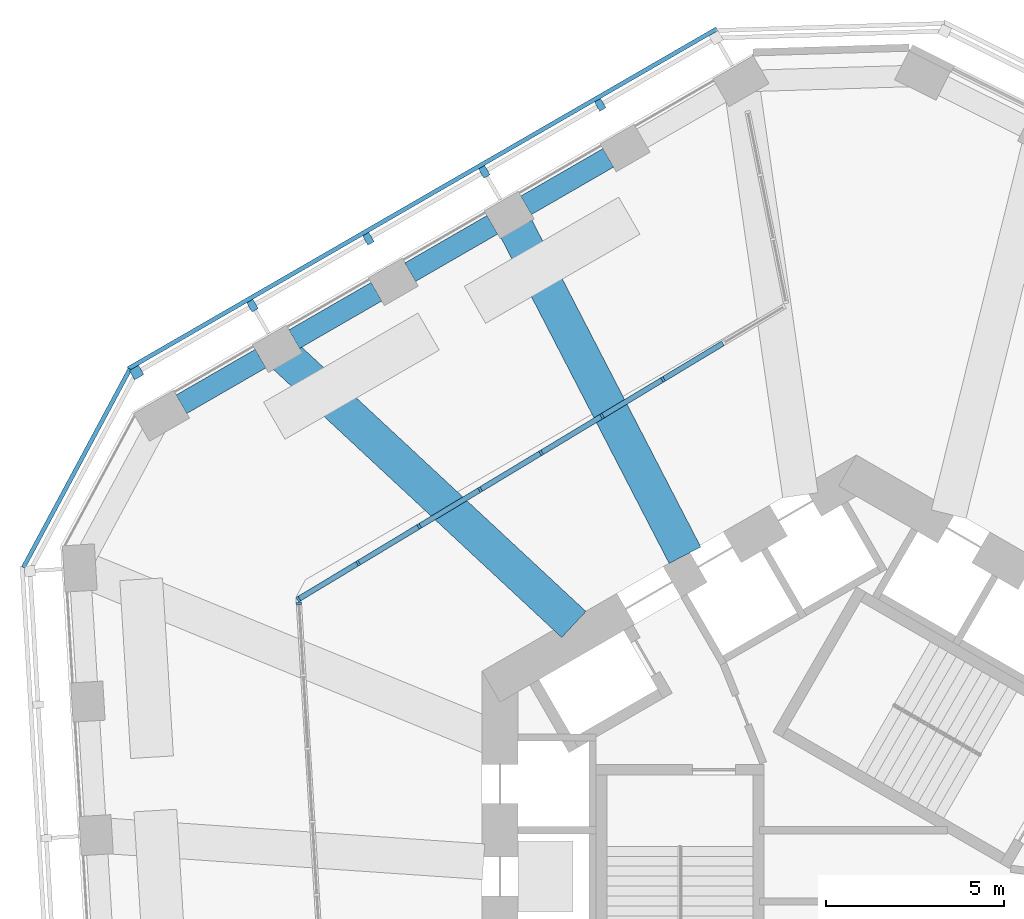
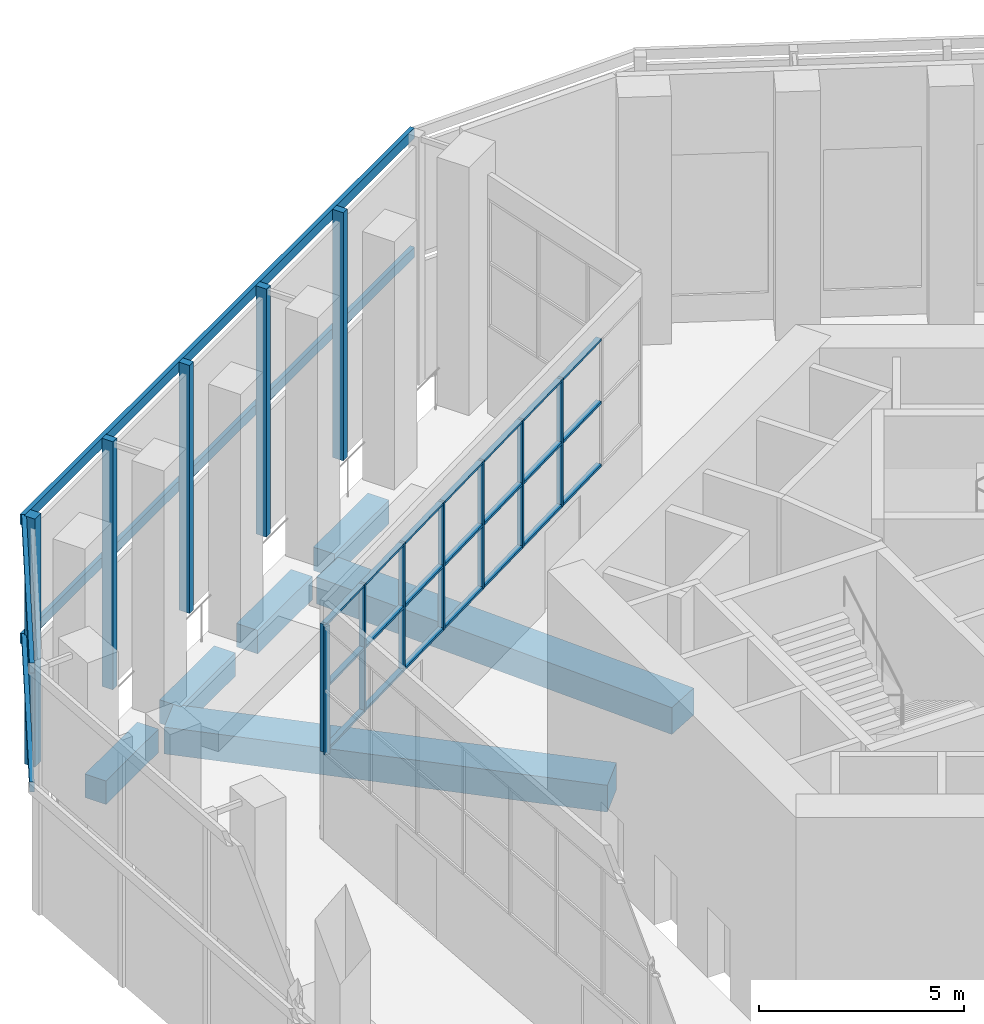
# One storey, part 6 of 19: 38 members, 6 beams, 4 elements without a shape of their own.
"""IFC4 building model written with IfcOpenShell, lengths in metres."""

import ifcopenshell
import ifcopenshell.guid

model = None  # the IFC model being written
_history = None  # IfcOwnerHistory: only IFC2X3 demands one
_inside = {}  # id of a spatial element -> (the spatial element, [elements in it])
_under = {}  # id of a project, library or spatial element -> (it, [spatial elements below it])
_declared = {}  # id of a project -> (the project, [libraries it declares])
_typed = {}  # id of a type object -> (the type object, [elements of that type])
_made_of = {}  # id of a material, layer set ... -> (it, [elements and type objects made of it])


def new_model(schema):
    """Start an empty IFC model of exactly this schema.

    Asked for "IFC4X3", IfcOpenShell would pick the latest addendum, in which some entities
    have other attributes; the version numbers below select the first issue.
    IFC2X3 requires an IfcOwnerHistory on every rooted entity: one is made here for all.
    """
    global model, _history
    if schema == "IFC4X3":
        model = ifcopenshell.file(schema_version=(4, 3, 0, 0))
    else:
        model = ifcopenshell.file(schema=schema)
    _inside.clear()
    _under.clear()
    _declared.clear()
    _typed.clear()
    _made_of.clear()
    _history = None
    if model.schema == "IFC2X3":
        org = make("IfcOrganization", Name="unknown")
        user = make(
            "IfcPersonAndOrganization",
            ThePerson=make("IfcPerson", FamilyName="unknown"),
            TheOrganization=org,
        )
        app = make(
            "IfcApplication",
            ApplicationDeveloper=org,
            Version="unknown",
            ApplicationFullName="unknown",
            ApplicationIdentifier="unknown",
        )
        _history = make(
            "IfcOwnerHistory",
            OwningUser=user,
            OwningApplication=app,
            ChangeAction="ADDED",
            CreationDate=0,
        )
    return model


def make(cls, **values):
    """One entity of the class cls with the attributes given. An attribute that is None is left unset."""
    return model.create_entity(
        cls, **{name: value for name, value in values.items() if value is not None}
    )


def rooted(cls, **values):
    """An entity with a GlobalId (a new one), such as an element, a storey or a relation."""
    return make(cls, GlobalId=ifcopenshell.guid.new(), OwnerHistory=_history, **values)


def si_unit(unit_type, name, prefix=None):
    """IfcSIUnit, for example si_unit("LENGTHUNIT", "METRE", prefix="MILLI")."""
    return make("IfcSIUnit", UnitType=unit_type, Prefix=prefix, Name=name)


def assignment(units):
    """IfcUnitAssignment: the units of a project."""
    return None if units is None else make("IfcUnitAssignment", Units=units)


def point(xyz):
    """IfcCartesianPoint."""
    return None if xyz is None else make("IfcCartesianPoint", Coordinates=xyz)


def direction(xyz):
    """IfcDirection."""
    return None if xyz is None else make("IfcDirection", DirectionRatios=xyz)


def frame(location, z_axis=None, x_axis=None):
    """IfcAxis2Placement3D, a coordinate frame: its origin and axes. An axis left out is left unset."""
    return make(
        "IfcAxis2Placement3D",
        Location=point(location),
        Axis=direction(z_axis),
        RefDirection=direction(x_axis),
    )


def frame_2d(location, x_axis=None):
    """IfcAxis2Placement2D, a coordinate frame in the plane: its origin and x axis."""
    return make(
        "IfcAxis2Placement2D", Location=point(location), RefDirection=direction(x_axis)
    )


def origin():
    """The frame at (0, 0, 0) with its axes left unset."""
    return frame((0.0, 0.0, 0.0))


def origin_2d():
    """The frame at (0, 0) in the plane with its x axis left unset."""
    return frame_2d((0.0, 0.0))


def place(relative_to, where):
    """IfcLocalPlacement: puts the frame where relative to a parent placement (None: the world)."""
    return make(
        "IfcLocalPlacement", PlacementRelTo=relative_to, RelativePlacement=where
    )


def context(
    kind, dimensions, precision=None, world=None, true_north=None, identifier=None
):
    """IfcGeometricRepresentationContext, for example the 3D "Model" context."""
    return make(
        "IfcGeometricRepresentationContext",
        ContextIdentifier=identifier,
        ContextType=kind,
        CoordinateSpaceDimension=dimensions,
        Precision=precision,
        WorldCoordinateSystem=world,
        TrueNorth=true_north,
    )


def subcontext(parent, identifier, kind, view, scale=None):
    """IfcGeometricRepresentationSubContext, for example "Body" below "Model"."""
    return make(
        "IfcGeometricRepresentationSubContext",
        ContextIdentifier=identifier,
        ContextType=kind,
        ParentContext=parent,
        TargetScale=scale,
        TargetView=view,
    )


def project(units=None, contexts=None):
    """IfcProject with its units and contexts."""
    return rooted(
        "IfcProject",
        Name="project",
        RepresentationContexts=contexts,
        UnitsInContext=assignment(units),
    )


def spatial(cls, under=None, at=None, **own):
    """A site, building, storey or space (cls), placed at a placement, below another one or the project."""
    s = rooted(cls, ObjectPlacement=at, **own)
    if under is not None:
        _under.setdefault(under.id(), (under, []))[1].append(s)
    return s


def profile(cls, at=None, kind="AREA", **sizes):
    """A parametric profile (cls). Its sizes go by their IFC names, for example OverallWidth=200.0."""
    return make(cls, ProfileType=kind, Position=at, **sizes)


def rectangle(**sizes):
    """IfcRectangleProfileDef."""
    return profile("IfcRectangleProfileDef", **sizes)


def extrude(swept, where, along, depth):
    """IfcExtrudedAreaSolid: the profile swept, set in the frame where, extruded along a direction by depth."""
    return make(
        "IfcExtrudedAreaSolid",
        SweptArea=swept,
        Position=where,
        ExtrudedDirection=direction(along),
        Depth=depth,
    )


def shape(context_of_items, identifier, shape_type, items):
    """IfcShapeRepresentation: the items that make up one representation, for example the "Body"."""
    return make(
        "IfcShapeRepresentation",
        ContextOfItems=context_of_items,
        RepresentationIdentifier=identifier,
        RepresentationType=shape_type,
        Items=items,
    )


def material(Name=None, Category=None):
    """IfcMaterial."""
    return make("IfcMaterial", Name=Name, Category=Category)


def material_profile(
    of_material, cross_section, Name=None, Category=None, Priority=None
):
    """IfcMaterialProfile: a cross section and its material."""
    return make(
        "IfcMaterialProfile",
        Name=Name,
        Material=of_material,
        Profile=cross_section,
        Priority=Priority,
        Category=Category,
    )


def profile_set(profiles, Name=None, composite=None):
    """IfcMaterialProfileSet."""
    return make(
        "IfcMaterialProfileSet",
        Name=Name,
        MaterialProfiles=profiles,
        CompositeProfile=composite,
    )


def made_of(thing, what):
    """Note that an element or type object is made of a material, layer set ...; save() writes the relation."""
    if what is not None:
        _made_of.setdefault(what.id(), (what, []))[1].append(thing)
    return thing


def type_object(cls, material=None, **own):
    """A type object (cls), such as IfcWallType, which elements share."""
    return made_of(rooted(cls, **own), material)


def element(
    cls,
    number,
    at=None,
    inside=None,
    cuts=None,
    type_object=None,
    material=None,
    context=None,
    identifier="Body",
    shape_type=None,
    held_by="IfcProductDefinitionShape",
    body=None,
    shapes=None,
    **own,
):
    """One element of the class cls, such as IfcWall. Its Tag is "e" and its number.

    at: its placement. inside: the storey or other place that contains it. cuts: it is an
    opening in that element (IfcRelVoidsElement). A single representation is given by context,
    identifier, shape_type and body (its items); several are given by shapes. held_by: the class
    of the entity that holds the representations. save() writes the other relations.
    """
    e = rooted(cls, Tag="e%d" % number, ObjectPlacement=at, **own)
    if body is not None:
        shapes = [shape(context, identifier, shape_type, body)]
    if shapes is not None:
        e.Representation = make(held_by, Representations=shapes)
    if inside is not None:
        _inside.setdefault(inside.id(), (inside, []))[1].append(e)
    if cuts is not None:
        rooted(
            "IfcRelVoidsElement", RelatingBuildingElement=cuts, RelatedOpeningElement=e
        )
    if type_object is not None:
        _typed.setdefault(type_object.id(), (type_object, []))[1].append(e)
    return made_of(e, material)


def aggregate(whole, parts):
    """IfcRelAggregates: a whole, such as a stair, and the parts it consists of."""
    return rooted("IfcRelAggregates", RelatingObject=whole, RelatedObjects=parts)


def save(model, path):
    """Write the relations noted so far, then the file.

    IfcRelAggregates (storeys below a building ...), IfcRelContainedInSpatialStructure (elements
    in a storey), IfcRelDefinesByType, IfcRelAssociatesMaterial and IfcRelDeclares: one each for
    every whole, place, type object, material and project.
    """
    for whole, parts in _under.values():
        aggregate(whole, parts)
    for where, things in _inside.values():
        rooted(
            "IfcRelContainedInSpatialStructure",
            RelatedElements=things,
            RelatingStructure=where,
        )
    for kind, things in _typed.values():
        rooted("IfcRelDefinesByType", RelatedObjects=things, RelatingType=kind)
    for what, things in _made_of.values():
        rooted("IfcRelAssociatesMaterial", RelatedObjects=things, RelatingMaterial=what)
    for by, libraries in _declared.values():
        rooted("IfcRelDeclares", RelatingContext=by, RelatedDefinitions=libraries)
    model.write(path)


model = new_model("IFC4")

# Units and contexts
model_context = context("Model", 3, precision=1e-05, world=origin(), true_north=direction((0.0, 1.0)))
body_context = subcontext(model_context, "Body", "Model", "MODEL_VIEW")
ifc_project = project(units=[si_unit("LENGTHUNIT", "METRE"), si_unit("AREAUNIT", "SQUARE_METRE"), si_unit("VOLUMEUNIT", "CUBIC_METRE"), si_unit("PLANEANGLEUNIT", "RADIAN"), si_unit("MASSUNIT", "GRAM", prefix="KILO")], contexts=[model_context])

# Site, building, storey
site_placement = place(None, origin())
site = spatial("IfcSite", under=ifc_project, at=site_placement, CompositionType="ELEMENT")
building_placement = place(site_placement, origin())
building = spatial("IfcBuilding", under=site, at=building_placement, Name="Vanh Sen Convention Tower", CompositionType="ELEMENT")
storey_placement = place(building_placement, frame((0.0, 0.0, 139.199951171875)))
storey = spatial("IfcBuildingStorey", under=building, at=storey_placement, Name="L34", CompositionType="ELEMENT", Elevation=139.199951171875)

# Curtain wall, member
ifc_material_1 = material(Name="Aluminium structural glazing system", Category="aluminium")
curtain_wall_type_1 = type_object("IfcCurtainWallType", Name="Sky garden structural glazing", PredefinedType="NOTDEFINED", material=ifc_material_1)
curtain_wall_1_placement = place(storey_placement, origin())
curtain_wall_1 = element("IfcCurtainWall", 1, at=curtain_wall_1_placement, inside=storey, type_object=curtain_wall_type_1, Name="Winter garden glazing 3 L34", PredefinedType="NOTDEFINED")
ifc_material_2 = material(Name="Aluminium mullion", Category="aluminium")
ifc_material_profile_1 = material_profile(ifc_material_2, rectangle(XDim=0.14990234375, YDim=0.070068359375, at=origin_2d()), Name="Garden glazing mullion 70 x 150")
ifc_profile_set_1 = profile_set([ifc_material_profile_1], Name="Aluminium mullion")
member_type_1 = type_object("IfcMemberType", Name="Garden glazing mullion 70 x 150", PredefinedType="MULLION", material=ifc_profile_set_1)
member_1_placement = place(storey_placement, frame((-15.64013671875, 7.961181640625, 2.60009765625), z_axis=(0.0, 0.0, 1.0), x_axis=(-0.998134898132, -0.061046909267, 0.0)))
member_1 = element("IfcMember", 2, at=member_1_placement, type_object=member_type_1, Name="CW5 mullion 9", PredefinedType="MULLION", context=body_context, shape_type="SweptSolid", body=[
    extrude(rectangle(XDim=0.14990234375, YDim=0.070068359375, at=origin_2d()), origin(), (0.0, 0.0, 1.0), 3.820068359375),
])
aggregate(curtain_wall_1, [member_1])

# Curtain wall, members
curtain_wall_2_placement = place(storey_placement, origin())
curtain_wall_2 = element("IfcCurtainWall", 3, at=curtain_wall_2_placement, inside=storey, type_object=curtain_wall_type_1, Name="Winter garden glazing 4 L34", PredefinedType="NOTDEFINED")
member_2_placement = place(storey_placement, frame((-15.65673828125, 8.080078125, 2.60009765625), z_axis=(0.0, 0.0, 1.0), x_axis=(-0.516175887438, 0.856482605327, 0.0)))
member_2 = element("IfcMember", 4, at=member_2_placement, type_object=member_type_1, Name="CW5 mullion 1", PredefinedType="MULLION", context=body_context, shape_type="SweptSolid", body=[
    extrude(rectangle(XDim=0.14990234375, YDim=0.070068359375, at=origin_2d()), origin(), (0.0, 0.0, 1.0), 3.820068359375),
])
member_3_placement = place(storey_placement, frame((-13.9765625, 9.092529296875, 2.60009765625), z_axis=(0.0, 0.0, 1.0), x_axis=(-0.516175887438, 0.856482605327, 0.0)))
member_3 = element("IfcMember", 5, at=member_3_placement, type_object=member_type_1, Name="CW5 mullion 2", PredefinedType="MULLION", context=body_context, shape_type="SweptSolid", body=[
    extrude(rectangle(XDim=0.14990234375, YDim=0.070068359375, at=origin_2d()), origin(), (0.0, 0.0, 1.0), 3.820068359375),
])
member_4_placement = place(storey_placement, frame((-12.2666015625, 10.123291015625, 2.60009765625), z_axis=(0.0, 0.0, 1.0), x_axis=(-0.516175887438, 0.856482605327, 0.0)))
member_4 = element("IfcMember", 6, at=member_4_placement, type_object=member_type_1, Name="CW5 mullion 3", PredefinedType="MULLION", context=body_context, shape_type="SweptSolid", body=[
    extrude(rectangle(XDim=0.14990234375, YDim=0.070068359375, at=origin_2d()), origin(), (0.0, 0.0, 1.0), 3.820068359375),
])
member_5_placement = place(storey_placement, frame((-10.556396484375, 11.15380859375, 2.60009765625), z_axis=(0.0, 0.0, 1.0), x_axis=(-0.516175887438, 0.856482605327, 0.0)))
member_5 = element("IfcMember", 7, at=member_5_placement, type_object=member_type_1, Name="CW5 mullion 4", PredefinedType="MULLION", context=body_context, shape_type="SweptSolid", body=[
    extrude(rectangle(XDim=0.14990234375, YDim=0.070068359375, at=origin_2d()), origin(), (0.0, 0.0, 1.0), 3.820068359375),
])
member_6_placement = place(storey_placement, frame((-8.84619140625, 12.1845703125, 2.60009765625), z_axis=(0.0, 0.0, 1.0), x_axis=(-0.516175887438, 0.856482605327, 0.0)))
member_6 = element("IfcMember", 8, at=member_6_placement, type_object=member_type_1, Name="CW5 mullion 5", PredefinedType="MULLION", context=body_context, shape_type="SweptSolid", body=[
    extrude(rectangle(XDim=0.14990234375, YDim=0.070068359375, at=origin_2d()), origin(), (0.0, 0.0, 1.0), 3.820068359375),
])
member_7_placement = place(storey_placement, frame((-7.13623046875, 13.215087890625, 2.60009765625), z_axis=(0.0, 0.0, 1.0), x_axis=(-0.516175887438, 0.856482605327, 0.0)))
member_7 = element("IfcMember", 9, at=member_7_placement, type_object=member_type_1, Name="CW5 mullion 6", PredefinedType="MULLION", context=body_context, shape_type="SweptSolid", body=[
    extrude(rectangle(XDim=0.14990234375, YDim=0.070068359375, at=origin_2d()), origin(), (0.0, 0.0, 1.0), 3.820068359375),
])
member_8_placement = place(storey_placement, frame((-5.426025390625, 14.245849609375, 2.60009765625), z_axis=(0.0, 0.0, 1.0), x_axis=(-0.516175887438, 0.856482605327, 0.0)))
member_8 = element("IfcMember", 10, at=member_8_placement, type_object=member_type_1, Name="CW5 mullion 7", PredefinedType="MULLION", context=body_context, shape_type="SweptSolid", body=[
    extrude(rectangle(XDim=0.14990234375, YDim=0.070068359375, at=origin_2d()), origin(), (0.0, 0.0, 1.0), 3.820068359375),
])
ifc_material_3 = material(Name="Aluminium transom", Category="aluminium")
ifc_material_profile_2 = material_profile(ifc_material_3, rectangle(XDim=0.14990234375, YDim=0.070068359375, at=origin_2d()), Name="Garden glazing transom 150 x 70")
ifc_profile_set_2 = profile_set([ifc_material_profile_2], Name="Aluminium transom")
member_type_2 = type_object("IfcMemberType", Name="Garden glazing transom 150 x 70", PredefinedType="USERDEFINED", material=ifc_profile_set_2)
member_9_placement = place(storey_placement, frame((-15.626708984375, 8.09814453125, 2.635009765625), z_axis=(0.85650054286, 0.516146122799, 0.0), x_axis=(-0.516146122799, 0.85650054286, 0.0)))
member_9 = element("IfcMember", 11, at=member_9_placement, type_object=member_type_2, Name="CW5 transom 1.1", ObjectType="TRANSOM", PredefinedType="USERDEFINED", context=body_context, shape_type="SweptSolid", body=[
    extrude(rectangle(XDim=0.14990234375, YDim=0.070068359375, at=origin_2d()), origin(), (0.0, 0.0, 1.0), 1.8916015625),
])
member_10_placement = place(storey_placement, frame((-15.626708984375, 8.09814453125, 4.510009765625), z_axis=(0.85650054286, 0.516146122799, 0.0), x_axis=(-0.516146122799, 0.85650054286, 0.0)))
member_10 = element("IfcMember", 12, at=member_10_placement, type_object=member_type_2, Name="CW5 transom 1.2", ObjectType="TRANSOM", PredefinedType="USERDEFINED", context=body_context, shape_type="SweptSolid", body=[
    extrude(rectangle(XDim=0.14990234375, YDim=0.070068359375, at=origin_2d()), origin(), (0.0, 0.0, 1.0), 1.8916015625),
])
member_11_placement = place(storey_placement, frame((-15.626708984375, 8.09814453125, 6.385009765625), z_axis=(0.85650054286, 0.516146122799, 0.0), x_axis=(-0.516146122799, 0.85650054286, 0.0)))
member_11 = element("IfcMember", 13, at=member_11_placement, type_object=member_type_2, Name="CW5 transom 1.3", ObjectType="TRANSOM", PredefinedType="USERDEFINED", context=body_context, shape_type="SweptSolid", body=[
    extrude(rectangle(XDim=0.14990234375, YDim=0.070068359375, at=origin_2d()), origin(), (0.0, 0.0, 1.0), 1.8916015625),
])
member_12_placement = place(storey_placement, frame((-13.946533203125, 9.110595703125, 2.635009765625), z_axis=(0.856451384735, 0.516227687736, 0.0), x_axis=(-0.516227687736, 0.856451384735, 0.0)))
member_12 = element("IfcMember", 14, at=member_12_placement, type_object=member_type_2, Name="CW5 transom 2.1", ObjectType="TRANSOM", PredefinedType="USERDEFINED", context=body_context, shape_type="SweptSolid", body=[
    extrude(rectangle(XDim=0.14990234375, YDim=0.070068359375, at=origin_2d()), origin(), (0.0, 0.0, 1.0), 1.9267578125),
])
member_13_placement = place(storey_placement, frame((-13.946533203125, 9.110595703125, 4.510009765625), z_axis=(0.856451384735, 0.516227687736, 0.0), x_axis=(-0.516227687736, 0.856451384735, 0.0)))
member_13 = element("IfcMember", 15, at=member_13_placement, type_object=member_type_2, Name="CW5 transom 2.2", ObjectType="TRANSOM", PredefinedType="USERDEFINED", context=body_context, shape_type="SweptSolid", body=[
    extrude(rectangle(XDim=0.14990234375, YDim=0.070068359375, at=origin_2d()), origin(), (0.0, 0.0, 1.0), 1.9267578125),
])
member_14_placement = place(storey_placement, frame((-13.946533203125, 9.110595703125, 6.385009765625), z_axis=(0.856451384735, 0.516227687736, 0.0), x_axis=(-0.516227687736, 0.856451384735, 0.0)))
member_14 = element("IfcMember", 16, at=member_14_placement, type_object=member_type_2, Name="CW5 transom 2.3", ObjectType="TRANSOM", PredefinedType="USERDEFINED", context=body_context, shape_type="SweptSolid", body=[
    extrude(rectangle(XDim=0.14990234375, YDim=0.070068359375, at=origin_2d()), origin(), (0.0, 0.0, 1.0), 1.9267578125),
])
member_15_placement = place(storey_placement, frame((-12.236572265625, 10.141357421875, 2.635009765625), z_axis=(0.856507406087, 0.516134733687, 0.0), x_axis=(-0.516134733687, 0.856507406087, 0.0)))
member_15 = element("IfcMember", 17, at=member_15_placement, type_object=member_type_2, Name="CW5 transom 3.1", ObjectType="TRANSOM", PredefinedType="USERDEFINED", context=body_context, shape_type="SweptSolid", body=[
    extrude(rectangle(XDim=0.14990234375, YDim=0.070068359375, at=origin_2d()), origin(), (0.0, 0.0, 1.0), 1.926513671875),
])
member_16_placement = place(storey_placement, frame((-12.236572265625, 10.141357421875, 4.510009765625), z_axis=(0.856507406087, 0.516134733687, 0.0), x_axis=(-0.516134733687, 0.856507406087, 0.0)))
member_16 = element("IfcMember", 18, at=member_16_placement, type_object=member_type_2, Name="CW5 transom 3.2", ObjectType="TRANSOM", PredefinedType="USERDEFINED", context=body_context, shape_type="SweptSolid", body=[
    extrude(rectangle(XDim=0.14990234375, YDim=0.070068359375, at=origin_2d()), origin(), (0.0, 0.0, 1.0), 1.926513671875),
])
member_17_placement = place(storey_placement, frame((-12.236572265625, 10.141357421875, 6.385009765625), z_axis=(0.856507406087, 0.516134733687, 0.0), x_axis=(-0.516134733687, 0.856507406087, 0.0)))
member_17 = element("IfcMember", 19, at=member_17_placement, type_object=member_type_2, Name="CW5 transom 3.3", ObjectType="TRANSOM", PredefinedType="USERDEFINED", context=body_context, shape_type="SweptSolid", body=[
    extrude(rectangle(XDim=0.14990234375, YDim=0.070068359375, at=origin_2d()), origin(), (0.0, 0.0, 1.0), 1.926513671875),
])
member_18_placement = place(storey_placement, frame((-10.5263671875, 11.171875, 2.635009765625), z_axis=(0.856451384735, 0.516227687736, 0.0), x_axis=(-0.516227687736, 0.856451384735, 0.0)))
member_18 = element("IfcMember", 20, at=member_18_placement, type_object=member_type_2, Name="CW5 transom 4.1", ObjectType="TRANSOM", PredefinedType="USERDEFINED", context=body_context, shape_type="SweptSolid", body=[
    extrude(rectangle(XDim=0.14990234375, YDim=0.070068359375, at=origin_2d()), origin(), (0.0, 0.0, 1.0), 1.9267578125),
])
member_19_placement = place(storey_placement, frame((-10.5263671875, 11.171875, 4.510009765625), z_axis=(0.856451384735, 0.516227687736, 0.0), x_axis=(-0.516227687736, 0.856451384735, 0.0)))
member_19 = element("IfcMember", 21, at=member_19_placement, type_object=member_type_2, Name="CW5 transom 4.2", ObjectType="TRANSOM", PredefinedType="USERDEFINED", context=body_context, shape_type="SweptSolid", body=[
    extrude(rectangle(XDim=0.14990234375, YDim=0.070068359375, at=origin_2d()), origin(), (0.0, 0.0, 1.0), 1.9267578125),
])
member_20_placement = place(storey_placement, frame((-10.5263671875, 11.171875, 6.385009765625), z_axis=(0.856451384735, 0.516227687736, 0.0), x_axis=(-0.516227687736, 0.856451384735, 0.0)))
member_20 = element("IfcMember", 22, at=member_20_placement, type_object=member_type_2, Name="CW5 transom 4.3", ObjectType="TRANSOM", PredefinedType="USERDEFINED", context=body_context, shape_type="SweptSolid", body=[
    extrude(rectangle(XDim=0.14990234375, YDim=0.070068359375, at=origin_2d()), origin(), (0.0, 0.0, 1.0), 1.9267578125),
])
member_21_placement = place(storey_placement, frame((-8.81640625, 12.20263671875, 2.635009765625), z_axis=(0.856507406087, 0.516134733687, 0.0), x_axis=(-0.516134733687, 0.856507406087, 0.0)))
member_21 = element("IfcMember", 23, at=member_21_placement, type_object=member_type_2, Name="CW5 transom 5.1", ObjectType="TRANSOM", PredefinedType="USERDEFINED", context=body_context, shape_type="SweptSolid", body=[
    extrude(rectangle(XDim=0.14990234375, YDim=0.070068359375, at=origin_2d()), origin(), (0.0, 0.0, 1.0), 1.926513671875),
])
member_22_placement = place(storey_placement, frame((-8.81640625, 12.20263671875, 4.510009765625), z_axis=(0.856507406087, 0.516134733687, 0.0), x_axis=(-0.516134733687, 0.856507406087, 0.0)))
member_22 = element("IfcMember", 24, at=member_22_placement, type_object=member_type_2, Name="CW5 transom 5.2", ObjectType="TRANSOM", PredefinedType="USERDEFINED", context=body_context, shape_type="SweptSolid", body=[
    extrude(rectangle(XDim=0.14990234375, YDim=0.070068359375, at=origin_2d()), origin(), (0.0, 0.0, 1.0), 1.926513671875),
])
member_23_placement = place(storey_placement, frame((-8.81640625, 12.20263671875, 6.385009765625), z_axis=(0.856507406087, 0.516134733687, 0.0), x_axis=(-0.516134733687, 0.856507406087, 0.0)))
member_23 = element("IfcMember", 25, at=member_23_placement, type_object=member_type_2, Name="CW5 transom 5.3", ObjectType="TRANSOM", PredefinedType="USERDEFINED", context=body_context, shape_type="SweptSolid", body=[
    extrude(rectangle(XDim=0.14990234375, YDim=0.070068359375, at=origin_2d()), origin(), (0.0, 0.0, 1.0), 1.926513671875),
])
member_24_placement = place(storey_placement, frame((-7.106201171875, 13.233154296875, 2.635009765625), z_axis=(0.856451384735, 0.516227687736, 0.0), x_axis=(-0.516227687736, 0.856451384735, 0.0)))
member_24 = element("IfcMember", 26, at=member_24_placement, type_object=member_type_2, Name="CW5 transom 6.1", ObjectType="TRANSOM", PredefinedType="USERDEFINED", context=body_context, shape_type="SweptSolid", body=[
    extrude(rectangle(XDim=0.14990234375, YDim=0.070068359375, at=origin_2d()), origin(), (0.0, 0.0, 1.0), 1.9267578125),
])
member_25_placement = place(storey_placement, frame((-7.106201171875, 13.233154296875, 4.510009765625), z_axis=(0.856451384735, 0.516227687736, 0.0), x_axis=(-0.516227687736, 0.856451384735, 0.0)))
member_25 = element("IfcMember", 27, at=member_25_placement, type_object=member_type_2, Name="CW5 transom 6.2", ObjectType="TRANSOM", PredefinedType="USERDEFINED", context=body_context, shape_type="SweptSolid", body=[
    extrude(rectangle(XDim=0.14990234375, YDim=0.070068359375, at=origin_2d()), origin(), (0.0, 0.0, 1.0), 1.9267578125),
])
member_26_placement = place(storey_placement, frame((-7.106201171875, 13.233154296875, 6.385009765625), z_axis=(0.856451384735, 0.516227687736, 0.0), x_axis=(-0.516227687736, 0.856451384735, 0.0)))
member_26 = element("IfcMember", 28, at=member_26_placement, type_object=member_type_2, Name="CW5 transom 6.3", ObjectType="TRANSOM", PredefinedType="USERDEFINED", context=body_context, shape_type="SweptSolid", body=[
    extrude(rectangle(XDim=0.14990234375, YDim=0.070068359375, at=origin_2d()), origin(), (0.0, 0.0, 1.0), 1.9267578125),
])
member_27_placement = place(storey_placement, frame((-5.396240234375, 14.263916015625, 2.635009765625), z_axis=(0.856507406087, 0.516134733687, 0.0), x_axis=(-0.516134733687, 0.856507406087, 0.0)))
member_27 = element("IfcMember", 29, at=member_27_placement, type_object=member_type_2, Name="CW5 transom 7.1", ObjectType="TRANSOM", PredefinedType="USERDEFINED", context=body_context, shape_type="SweptSolid", body=[
    extrude(rectangle(XDim=0.14990234375, YDim=0.070068359375, at=origin_2d()), origin(), (0.0, 0.0, 1.0), 1.926513671875),
])
member_28_placement = place(storey_placement, frame((-5.396240234375, 14.263916015625, 4.510009765625), z_axis=(0.856507406087, 0.516134733687, 0.0), x_axis=(-0.516134733687, 0.856507406087, 0.0)))
member_28 = element("IfcMember", 30, at=member_28_placement, type_object=member_type_2, Name="CW5 transom 7.2", ObjectType="TRANSOM", PredefinedType="USERDEFINED", context=body_context, shape_type="SweptSolid", body=[
    extrude(rectangle(XDim=0.14990234375, YDim=0.070068359375, at=origin_2d()), origin(), (0.0, 0.0, 1.0), 1.926513671875),
])
member_29_placement = place(storey_placement, frame((-5.396240234375, 14.263916015625, 6.385009765625), z_axis=(0.856507406087, 0.516134733687, 0.0), x_axis=(-0.516134733687, 0.856507406087, 0.0)))
member_29 = element("IfcMember", 31, at=member_29_placement, type_object=member_type_2, Name="CW5 transom 7.3", ObjectType="TRANSOM", PredefinedType="USERDEFINED", context=body_context, shape_type="SweptSolid", body=[
    extrude(rectangle(XDim=0.14990234375, YDim=0.070068359375, at=origin_2d()), origin(), (0.0, 0.0, 1.0), 1.926513671875),
])
aggregate(curtain_wall_2, [member_2, member_3, member_4, member_5, member_6, member_7, member_8, member_9, member_10, member_11, member_12, member_13, member_14, member_15, member_16, member_17, member_18, member_19, member_20, member_21, member_22, member_23, member_24, member_25, member_26, member_27, member_28, member_29])

ifc_material_4 = material(Name="Concrete C50/60", Category="concrete")
curtain_wall_type_2 = type_object("IfcCurtainWallType", Name="Outer skin office zone", PredefinedType="NOTDEFINED", material=ifc_material_4)
curtain_wall_3_placement = place(storey_placement, origin())
curtain_wall_3 = element("IfcCurtainWall", 32, at=curtain_wall_3_placement, inside=storey, type_object=curtain_wall_type_2, Name="OUTER SKIN NW L34", PredefinedType="NOTDEFINED")
ifc_material_profile_3 = material_profile(ifc_material_4, rectangle(XDim=0.300048828125, YDim=0.300048828125, at=origin_2d()), Name="Outer skin precast corner fin 300 x 300")
ifc_profile_set_3 = profile_set([ifc_material_profile_3], Name="Concrete C50/60")
member_type_3 = type_object("IfcMemberType", Name="Outer skin precast corner fin 300 x 300", PredefinedType="MULLION", material=ifc_profile_set_3)
member_30_placement = place(storey_placement, frame((-20.193603515625, 14.4375, 0.0), z_axis=(0.0, 0.0, 1.0), x_axis=(-0.866025403784, -0.5, 0.0)))
member_30 = element("IfcMember", 33, at=member_30_placement, type_object=member_type_3, Name="OUTER SKIN CORNER FIN 6 NW L34", PredefinedType="MULLION", context=body_context, shape_type="SweptSolid", body=[
    extrude(rectangle(XDim=0.300048828125, YDim=0.300048828125, at=origin_2d()), origin(), (0.0, 0.0, 1.0), 7.400146484375),
])
ifc_material_profile_4 = material_profile(ifc_material_4, rectangle(XDim=0.199951171875, YDim=0.300048828125, at=origin_2d()), Name="Outer skin precast fin 200 x 300")
ifc_profile_set_4 = profile_set([ifc_material_profile_4], Name="Concrete C50/60")
member_type_4 = type_object("IfcMemberType", Name="Outer skin precast fin 200 x 300", PredefinedType="MULLION", material=ifc_profile_set_4)
member_31_placement = place(storey_placement, frame((-7.189208984375, 21.945556640625, 0.0), z_axis=(0.0, 0.0, 1.0), x_axis=(-0.866025403784, -0.5, 0.0)))
member_31 = element("IfcMember", 34, at=member_31_placement, type_object=member_type_4, Name="OUTER SKIN fin 2 NW L34", PredefinedType="MULLION", context=body_context, shape_type="SweptSolid", body=[
    extrude(rectangle(XDim=0.199951171875, YDim=0.300048828125, at=origin_2d()), origin(), (0.0, 0.0, 1.0), 7.400146484375),
])
member_32_placement = place(storey_placement, frame((-10.440185546875, 20.068603515625, 0.0), z_axis=(0.0, 0.0, 1.0), x_axis=(-0.866025403784, -0.5, 0.0)))
member_32 = element("IfcMember", 35, at=member_32_placement, type_object=member_type_4, Name="OUTER SKIN fin 3 NW L34", PredefinedType="MULLION", context=body_context, shape_type="SweptSolid", body=[
    extrude(rectangle(XDim=0.199951171875, YDim=0.300048828125, at=origin_2d()), origin(), (0.0, 0.0, 1.0), 7.400146484375),
])
member_33_placement = place(storey_placement, frame((-13.69140625, 18.19140625, 0.0), z_axis=(0.0, 0.0, 1.0), x_axis=(-0.866025403784, -0.5, 0.0)))
member_33 = element("IfcMember", 36, at=member_33_placement, type_object=member_type_4, Name="OUTER SKIN fin 4 NW L34", PredefinedType="MULLION", context=body_context, shape_type="SweptSolid", body=[
    extrude(rectangle(XDim=0.199951171875, YDim=0.300048828125, at=origin_2d()), origin(), (0.0, 0.0, 1.0), 7.400146484375),
])
member_34_placement = place(storey_placement, frame((-16.9423828125, 16.314453125, 0.0), z_axis=(0.0, 0.0, 1.0), x_axis=(-0.866025403784, -0.5, 0.0)))
member_34 = element("IfcMember", 37, at=member_34_placement, type_object=member_type_4, Name="OUTER SKIN fin 5 NW L34", PredefinedType="MULLION", context=body_context, shape_type="SweptSolid", body=[
    extrude(rectangle(XDim=0.199951171875, YDim=0.300048828125, at=origin_2d()), origin(), (0.0, 0.0, 1.0), 7.400146484375),
])
ifc_material_profile_5 = material_profile(ifc_material_4, rectangle(XDim=0.1201171875, YDim=0.300048828125, at=origin_2d()), Name="Outer skin precast spandrel band 300 x 120")
ifc_profile_set_5 = profile_set([ifc_material_profile_5], Name="Concrete C50/60")
member_type_5 = type_object("IfcMemberType", Name="Outer skin precast spandrel band 300 x 120", PredefinedType="USERDEFINED", material=ifc_profile_set_5)
member_35_placement = place(storey_placement, frame((-3.9130859375, 24.07958984375, 7.25), z_axis=(-0.866023136587, -0.500003926881, 0.0), x_axis=(0.500003926881, -0.866023136587, 0.0)))
member_35 = element("IfcMember", 38, at=member_35_placement, type_object=member_type_5, Name="OUTER SKIN spandrel band NW L34", ObjectType="TRANSOM", PredefinedType="USERDEFINED", context=body_context, shape_type="SweptSolid", body=[
    extrude(rectangle(XDim=0.1201171875, YDim=0.300048828125, at=origin_2d()), origin(), (0.0, 0.0, 1.0), 19.070556640625),
])
member_36_placement = place(storey_placement, frame((-3.9130859375, 24.07958984375, 3.699951171875), z_axis=(-0.866023136587, -0.500003926881, 0.0), x_axis=(0.500003926881, -0.866023136587, 0.0)))
member_36 = element("IfcMember", 39, at=member_36_placement, type_object=member_type_5, Name="OUTER SKIN spandrel band NW L34 mid", ObjectType="TRANSOM", PredefinedType="USERDEFINED", context=body_context, shape_type="SweptSolid", body=[
    extrude(rectangle(XDim=0.1201171875, YDim=0.300048828125, at=origin_2d()), origin(), (0.0, 0.0, 1.0), 19.070556640625),
])
aggregate(curtain_wall_3, [member_31, member_32, member_33, member_34, member_30, member_35, member_36])

curtain_wall_4_placement = place(storey_placement, origin())
curtain_wall_4 = element("IfcCurtainWall", 40, at=curtain_wall_4_placement, inside=storey, type_object=curtain_wall_type_2, Name="OUTER SKIN CH3 L34", PredefinedType="NOTDEFINED")
member_37_placement = place(storey_placement, frame((-20.378662109375, 14.536865234375, 7.25), z_axis=(-0.47333707755, -0.880881383057, 0.0), x_axis=(0.880881383057, -0.47333707755, 0.0)))
member_37 = element("IfcMember", 41, at=member_37_placement, type_object=member_type_5, Name="OUTER SKIN spandrel band CH3 L34", ObjectType="TRANSOM", PredefinedType="USERDEFINED", context=body_context, shape_type="SweptSolid", body=[
    extrude(rectangle(XDim=0.1201171875, YDim=0.300048828125, at=origin_2d()), origin(), (0.0, 0.0, 1.0), 6.3193359375),
])
member_38_placement = place(storey_placement, frame((-20.378662109375, 14.536865234375, 3.699951171875), z_axis=(-0.47333707755, -0.880881383057, 0.0), x_axis=(0.880881383057, -0.47333707755, 0.0)))
member_38 = element("IfcMember", 42, at=member_38_placement, type_object=member_type_5, Name="OUTER SKIN spandrel band CH3 L34 mid", ObjectType="TRANSOM", PredefinedType="USERDEFINED", context=body_context, shape_type="SweptSolid", body=[
    extrude(rectangle(XDim=0.1201171875, YDim=0.300048828125, at=origin_2d()), origin(), (0.0, 0.0, 1.0), 6.3193359375),
])
aggregate(curtain_wall_4, [member_37, member_38])

# Beams
ifc_material_5 = material(Name="Concrete C50/60", Category="concrete")
ifc_material_profile_6 = material_profile(ifc_material_5, rectangle(XDim=1.0, YDim=0.800048828125, at=origin_2d()), Name="RC 1000X800")
ifc_profile_set_6 = profile_set([ifc_material_profile_6], Name="Concrete C50/60")
beam_type_1 = type_object("IfcBeamType", Name="Radial floor beam 1000 x 800", PredefinedType="BEAM", material=ifc_profile_set_6)
beam_1_placement = place(storey_placement, frame((-9.54638671875, 18.481201171875, -0.75), z_axis=(0.458939431593, -0.888467556036, 0.0), x_axis=(0.888467556036, 0.458939431593, 0.0)))
element("IfcBeam", 43, at=beam_1_placement, inside=storey, type_object=beam_type_1, Name="Radial beam 08 L34", PredefinedType="BEAM", context=body_context, shape_type="SweptSolid", body=[
    extrude(rectangle(XDim=1.0, YDim=0.800048828125, at=origin_2d()), origin(), (0.0, 0.0, 1.0), 10.318115234375),
])
beam_2_placement = place(storey_placement, frame((-16.06640625, 14.9384765625, -0.75), z_axis=(0.732344952361, -0.680933822594, 0.0), x_axis=(0.680933822594, 0.732344952361, 0.0)))
element("IfcBeam", 44, at=beam_2_placement, inside=storey, type_object=beam_type_1, Name="Radial beam 09 L34", PredefinedType="BEAM", context=body_context, shape_type="SweptSolid", body=[
    extrude(rectangle(XDim=1.0, YDim=0.800048828125, at=origin_2d()), origin(), (0.0, 0.0, 1.0), 11.112060546875),
])
ifc_material_profile_7 = material_profile(ifc_material_5, rectangle(XDim=0.60009765625, YDim=0.699951171875, at=origin_2d()), Name="RC 600X700")
ifc_profile_set_7 = profile_set([ifc_material_profile_7], Name="Concrete C50/60")
beam_type_2 = type_object("IfcBeamType", Name="Spandrel beam 600 x 700", PredefinedType="SPANDREL", material=ifc_profile_set_7)
beam_3_placement = place(storey_placement, frame((-6.961181640625, 20.460693359375, -0.699951171875), z_axis=(-0.866023818221, -0.500002746266, 0.0), x_axis=(0.500002746266, -0.866023818221, 0.0)))
element("IfcBeam", 45, at=beam_3_placement, inside=storey, type_object=beam_type_2, Name="Spandrel beam 14 L34", PredefinedType="SPANDREL", context=body_context, shape_type="SweptSolid", body=[
    extrude(rectangle(XDim=0.60009765625, YDim=0.699951171875, at=origin_2d()), origin(), (0.0, 0.0, 1.0), 2.6640625),
])
beam_4_placement = place(storey_placement, frame((-10.212158203125, 18.58349609375, -0.699951171875), z_axis=(-0.866063499924, -0.499934009745, 0.0), x_axis=(0.499934009745, -0.866063499924, 0.0)))
element("IfcBeam", 46, at=beam_4_placement, inside=storey, type_object=beam_type_2, Name="Spandrel beam 15 L34", PredefinedType="SPANDREL", context=body_context, shape_type="SweptSolid", body=[
    extrude(rectangle(XDim=0.60009765625, YDim=0.699951171875, at=origin_2d()), origin(), (0.0, 0.0, 1.0), 2.663818359375),
])
beam_5_placement = place(storey_placement, frame((-13.46337890625, 16.70654296875, -0.699951171875), z_axis=(-0.866023818221, -0.500002746266, 0.0), x_axis=(0.500002746266, -0.866023818221, 0.0)))
element("IfcBeam", 47, at=beam_5_placement, inside=storey, type_object=beam_type_2, Name="Spandrel beam 16 L34", PredefinedType="SPANDREL", context=body_context, shape_type="SweptSolid", body=[
    extrude(rectangle(XDim=0.60009765625, YDim=0.699951171875, at=origin_2d()), origin(), (0.0, 0.0, 1.0), 2.6640625),
])
beam_6_placement = place(storey_placement, frame((-16.714599609375, 14.82958984375, -0.699951171875), z_axis=(-0.866025432576, -0.499999950132, 0.0), x_axis=(0.499999950132, -0.866025432576, 0.0)))
element("IfcBeam", 48, at=beam_6_placement, inside=storey, type_object=beam_type_2, Name="Spandrel beam 17 L34", PredefinedType="SPANDREL", context=body_context, shape_type="SweptSolid", body=[
    extrude(rectangle(XDim=0.60009765625, YDim=0.699951171875, at=origin_2d()), origin(), (0.0, 0.0, 1.0), 2.56396484375),
])

save(model, "model.ifc")
